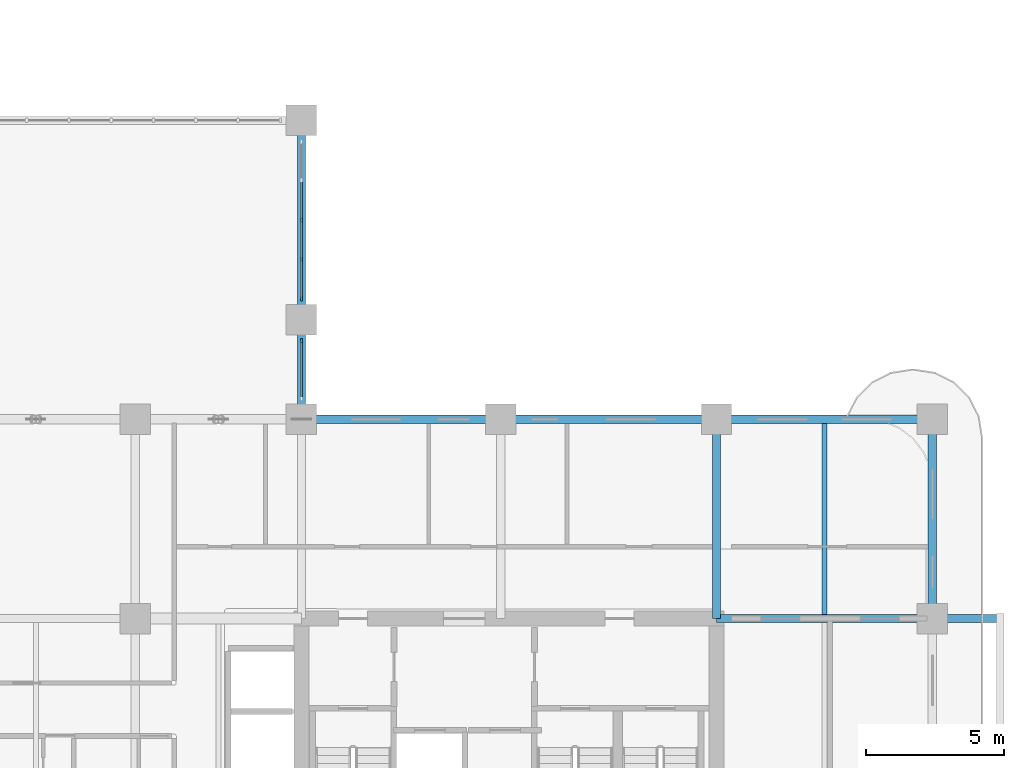
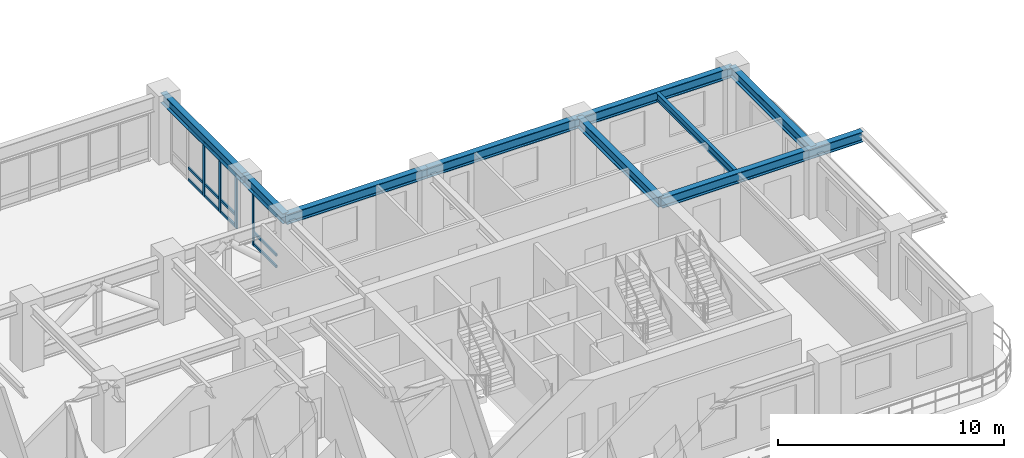
# One storey, part 4 of 21: 16 members, 9 beams, 2 elements without a shape of their own.
"""IFC4 building model written with IfcOpenShell, lengths in metres."""

from ifc_helpers import new_model, si_unit, derived_unit, direction, frame, origin, origin_2d, place, context, subcontext, project, spatial, rectangle, i_section, extrude, source, transform, mapped, material, layer, layer_set, material_profile, profile_set, type_object, type_shapes, element, aggregate, save


model = new_model("IFC4")

# Units and contexts
model_context = context("Model", 3, precision=1e-05, world=origin(), true_north=direction((0.0, 1.0)))
body_context = subcontext(model_context, "Body", "Model", "MODEL_VIEW")
ifc_project = project(units=[si_unit("LENGTHUNIT", "METRE"), si_unit("AREAUNIT", "SQUARE_METRE"), si_unit("VOLUMEUNIT", "CUBIC_METRE"), si_unit("PLANEANGLEUNIT", "RADIAN"), si_unit("MASSUNIT", "GRAM", prefix="KILO"), si_unit("THERMODYNAMICTEMPERATUREUNIT", "KELVIN"), si_unit("POWERUNIT", "WATT"), derived_unit("THERMALTRANSMITTANCEUNIT", [(si_unit("POWERUNIT", "WATT"), 1), (si_unit("AREAUNIT", "SQUARE_METRE"), -1), (si_unit("THERMODYNAMICTEMPERATUREUNIT", "KELVIN"), -1)])], contexts=[model_context])

# Site, building, storey
site_placement = place(None, origin())
site = spatial("IfcSite", under=ifc_project, at=site_placement, CompositionType="ELEMENT")
building_placement = place(site_placement, origin())
building = spatial("IfcBuilding", under=site, at=building_placement, Name="Zahravan Archway Hotel and Residences", CompositionType="ELEMENT")
storey_placement = place(building_placement, frame((0.0, 0.0, 65.699951171875)))
storey = spatial("IfcBuildingStorey", under=building, at=storey_placement, Name="L15", CompositionType="ELEMENT", Elevation=65.699951171875)

# Beams
ifc_material_1 = material(Name="Structural Steel S355JR", Category="steel")
ifc_material_profile_1 = material_profile(ifc_material_1, i_section(OverallWidth=0.300048828125, OverallDepth=0.550048828125, WebThickness=0.014892578125, FlangeThickness=0.029052734375, FilletRadius=0.027099609375, at=origin_2d()), Name="HEB 550", Category="steel")
ifc_profile_set_1 = profile_set([ifc_material_profile_1], Name="Structural Steel S355JR")
beam_type_1 = type_object("IfcBeamType", Name="BM-PRI-HEB550", PredefinedType="BEAM", material=ifc_profile_set_1)
shared_shape_1 = source(origin(), body_context, "Body", "SweptSolid", [
    extrude(i_section(OverallWidth=0.300048828125, OverallDepth=0.550048828125, WebThickness=0.014892578125, FlangeThickness=0.029052734375, FilletRadius=0.027099609375, at=origin_2d()), origin(), (0.0, 0.0, 1.0), 7.2001953125),
])
type_shapes(beam_type_1, [shared_shape_1])
for number, where, z_axis, x_axis, name in (
    (1, (49.800048828125, 14.39990234375, 3.175048828125), (0.0, 1.0, 0.0), (-1.0, 0.0, 0.0), "L15 Primary Girder NS-47"),
    (2, (57.60009765625, 14.39990234375, 3.175048828125), (0.0, 1.0, 0.0), (-1.0, 0.0, 0.0), "L15 Primary Girder NS-50"),
):
    element("IfcBeam", number, at=place(storey_placement, frame(where, z_axis=z_axis, x_axis=x_axis)), inside=storey, type_object=beam_type_1, Name=name, PredefinedType="BEAM", context=body_context, shape_type="MappedRepresentation", body=[
        mapped(shared_shape_1, transform((0.0, 0.0, 0.0), scale=1.0)),
    ])
shared_shape_2 = source(origin(), body_context, "Body", "SweptSolid", [
    extrude(i_section(OverallWidth=0.300048828125, OverallDepth=0.550048828125, WebThickness=0.014892578125, FlangeThickness=0.029052734375, FilletRadius=0.027099609375, at=origin_2d()), origin(), (0.0, 0.0, 1.0), 7.199951171875),
])
for number, where, z_axis, x_axis, name in (
    (3, (34.800048828125, 21.60009765625, 3.175048828125), (1.0, 0.0, 0.0), (0.0, 1.0, 0.0), "L15 Primary Girder EW-15"),
    (4, (34.800048828125, 25.199951171875, 3.175048828125), (0.0, 1.0, 0.0), (-1.0, 0.0, 0.0), "L15 Primary Girder NS-45"),
):
    element("IfcBeam", number, at=place(storey_placement, frame(where, z_axis=z_axis, x_axis=x_axis)), inside=storey, type_object=beam_type_1, Name=name, PredefinedType="BEAM", context=body_context, shape_type="MappedRepresentation", body=[
        mapped(shared_shape_2, transform((0.0, 0.0, 0.0), scale=1.0)),
    ])
shared_shape_3 = source(origin(), body_context, "Body", "SweptSolid", [
    extrude(i_section(OverallWidth=0.300048828125, OverallDepth=0.550048828125, WebThickness=0.014892578125, FlangeThickness=0.029052734375, FilletRadius=0.027099609375, at=origin_2d()), origin(), (0.0, 0.0, 1.0), 7.800048828125),
])
for number, where, z_axis, x_axis, name in (
    (5, (42.0, 21.60009765625, 3.175048828125), (1.0, 0.0, 0.0), (0.0, 1.0, 0.0), "L15 Primary Girder EW-16"),
    (6, (49.800048828125, 21.60009765625, 3.175048828125), (1.0, 0.0, 0.0), (0.0, 1.0, 0.0), "L15 Primary Girder EW-17"),
):
    element("IfcBeam", number, at=place(storey_placement, frame(where, z_axis=z_axis, x_axis=x_axis)), inside=storey, type_object=beam_type_1, Name=name, PredefinedType="BEAM", context=body_context, shape_type="MappedRepresentation", body=[
        mapped(shared_shape_3, transform((0.0, 0.0, 0.0), scale=1.0)),
    ])
shared_shape_4 = source(origin(), body_context, "Body", "SweptSolid", [
    extrude(i_section(OverallWidth=0.300048828125, OverallDepth=0.550048828125, WebThickness=0.014892578125, FlangeThickness=0.029052734375, FilletRadius=0.027099609375, at=origin_2d()), origin(), (0.0, 0.0, 1.0), 3.599853515625),
])
beam_1_placement = place(storey_placement, frame((34.800048828125, 21.60009765625, 3.175048828125), z_axis=(0.0, 1.0, 0.0), x_axis=(-1.0, 0.0, 0.0)))
element("IfcBeam", 7, at=beam_1_placement, inside=storey, type_object=beam_type_1, Name="L15 Primary Girder NS-44", PredefinedType="BEAM", context=body_context, shape_type="MappedRepresentation", body=[
    mapped(shared_shape_4, transform((0.0, 0.0, 0.0), scale=1.0)),
])
ifc_material_profile_2 = material_profile(ifc_material_1, i_section(OverallWidth=0.179931640625, OverallDepth=0.39990234375, WebThickness=0.008544921875, FlangeThickness=0.013427734375, FilletRadius=0.02099609375, at=origin_2d()), Name="IPE 400", Category="steel")
ifc_profile_set_2 = profile_set([ifc_material_profile_2], Name="Structural Steel S355JR")
beam_type_2 = type_object("IfcBeamType", Name="BM-JST-IPE400", PredefinedType="JOIST", material=ifc_profile_set_2)
shared_shape_5 = source(origin(), body_context, "Body", "SweptSolid", [
    extrude(i_section(OverallWidth=0.179931640625, OverallDepth=0.39990234375, WebThickness=0.008544921875, FlangeThickness=0.013427734375, FilletRadius=0.02099609375, at=origin_2d()), origin(), (0.0, 0.0, 1.0), 6.90380859375),
])
beam_2_placement = place(storey_placement, frame((53.699951171875, 14.548095703125, 3.25), z_axis=(0.0, 1.0, 0.0), x_axis=(-1.0, 0.0, 0.0)))
element("IfcBeam", 8, at=beam_2_placement, inside=storey, type_object=beam_type_2, Name="L15 Composite Floor Joist 10", PredefinedType="JOIST", context=body_context, shape_type="MappedRepresentation", body=[
    mapped(shared_shape_5, transform((0.0, 0.0, 0.0), scale=1.0)),
])
shared_shape_6 = source(origin(), body_context, "Body", "SweptSolid", [
    extrude(i_section(OverallWidth=0.300048828125, OverallDepth=0.550048828125, WebThickness=0.014892578125, FlangeThickness=0.029052734375, FilletRadius=0.027099609375, at=origin_2d()), origin(), (0.0, 0.0, 1.0), 10.25),
])
beam_3_placement = place(storey_placement, frame((49.800048828125, 14.39990234375, 3.175048828125), z_axis=(1.0, 0.0, 0.0), x_axis=(0.0, 1.0, 0.0)))
element("IfcBeam", 9, at=beam_3_placement, inside=storey, type_object=beam_type_1, Name="L15 Primary Girder EW-13", PredefinedType="BEAM", context=body_context, shape_type="MappedRepresentation", body=[
    mapped(shared_shape_6, transform((0.0, 0.0, 0.0), scale=1.0)),
])

# Curtain wall, members
ifc_material_2 = material(Name="Bronze-Anodized Unitised Aluminium & Low-E Glass", Category="aluminium")
ifc_layer = layer(ifc_material_2, 0.179931640625, Name="Bronze-Anodized Unitised Aluminium & Low-E Glass", Category="aluminium")
ifc_layer_set = layer_set([ifc_layer], Name="Bronze-Anodized Unitised Aluminium & Low-E Glass")
curtain_wall_type = type_object("IfcCurtainWallType", Name="CW-SBG-1", PredefinedType="NOTDEFINED", material=ifc_layer_set)
curtain_wall_1_placement = place(storey_placement, origin())
curtain_wall_1 = element("IfcCurtainWall", 10, at=curtain_wall_1_placement, inside=storey, type_object=curtain_wall_type, Name="L15 Curtain Wall CW-L15-HNG-E-2", PredefinedType="NOTDEFINED")
ifc_material_3 = material(Name="Bronze-Anodized Extruded Aluminium", Category="aluminium")
ifc_material_profile_3 = material_profile(ifc_material_3, rectangle(XDim=0.080078125, YDim=0.139892578125, at=origin_2d()), Name="TRN 80x140", Category="aluminium")
ifc_profile_set_3 = profile_set([ifc_material_profile_3], Name="Bronze-Anodized Extruded Aluminium")
member_type_1 = type_object("IfcMemberType", Name="CWM-TRN-140", PredefinedType="USERDEFINED", material=ifc_profile_set_3)
shared_shape_7 = source(origin(), body_context, "Body", "SweptSolid", [
    extrude(rectangle(XDim=0.080078125, YDim=0.139892578125, at=origin_2d()), origin(), (0.0, 0.0, 1.0), 1.33984375),
])
member_1_placement = place(storey_placement, frame((34.800048828125, 28.840087890625, 0.070068359375), z_axis=(0.0, 1.0, 0.0), x_axis=(-1.0, 0.0, 0.0)))
member_1 = element("IfcMember", 11, at=member_1_placement, type_object=member_type_1, Name="CW-L15-HNG-E-2 Transom 2-1", ObjectType="TRANSOM", PredefinedType="USERDEFINED", context=body_context, shape_type="MappedRepresentation", body=[
    mapped(shared_shape_7, transform((0.0, 0.0, 0.0), scale=1.0)),
])
member_2_placement = place(storey_placement, frame((34.800048828125, 28.840087890625, 0.6923828125), z_axis=(0.0, 1.0, 0.0), x_axis=(-1.0, 0.0, 0.0)))
member_2 = element("IfcMember", 12, at=member_2_placement, type_object=member_type_1, Name="CW-L15-HNG-E-2 Transom 2-2", ObjectType="TRANSOM", PredefinedType="USERDEFINED", context=body_context, shape_type="MappedRepresentation", body=[
    mapped(shared_shape_7, transform((0.0, 0.0, 0.0), scale=1.0)),
])
member_3_placement = place(storey_placement, frame((34.800048828125, 28.840087890625, 2.81494140625), z_axis=(0.0, 1.0, 0.0), x_axis=(-1.0, 0.0, 0.0)))
member_3 = element("IfcMember", 13, at=member_3_placement, type_object=member_type_1, Name="CW-L15-HNG-E-2 Transom 2-3", ObjectType="TRANSOM", PredefinedType="USERDEFINED", context=body_context, shape_type="MappedRepresentation", body=[
    mapped(shared_shape_7, transform((0.0, 0.0, 0.0), scale=1.0)),
])
shared_shape_8 = source(origin(), body_context, "Body", "SweptSolid", [
    extrude(rectangle(XDim=0.080078125, YDim=0.139892578125, at=origin_2d()), origin(), (0.0, 0.0, 1.0), 1.340087890625),
])
member_4_placement = place(storey_placement, frame((34.800048828125, 26.0, 0.070068359375), z_axis=(0.0, 1.0, 0.0), x_axis=(-1.0, 0.0, 0.0)))
member_4 = element("IfcMember", 14, at=member_4_placement, type_object=member_type_1, Name="CW-L15-HNG-E-2 Transom 0-1", ObjectType="TRANSOM", PredefinedType="USERDEFINED", context=body_context, shape_type="MappedRepresentation", body=[
    mapped(shared_shape_8, transform((0.0, 0.0, 0.0), scale=1.0)),
])
member_5_placement = place(storey_placement, frame((34.800048828125, 26.0, 0.6923828125), z_axis=(0.0, 1.0, 0.0), x_axis=(-1.0, 0.0, 0.0)))
member_5 = element("IfcMember", 15, at=member_5_placement, type_object=member_type_1, Name="CW-L15-HNG-E-2 Transom 0-2", ObjectType="TRANSOM", PredefinedType="USERDEFINED", context=body_context, shape_type="MappedRepresentation", body=[
    mapped(shared_shape_8, transform((0.0, 0.0, 0.0), scale=1.0)),
])
member_6_placement = place(storey_placement, frame((34.800048828125, 26.0, 2.81494140625), z_axis=(0.0, 1.0, 0.0), x_axis=(-1.0, 0.0, 0.0)))
member_6 = element("IfcMember", 16, at=member_6_placement, type_object=member_type_1, Name="CW-L15-HNG-E-2 Transom 0-3", ObjectType="TRANSOM", PredefinedType="USERDEFINED", context=body_context, shape_type="MappedRepresentation", body=[
    mapped(shared_shape_8, transform((0.0, 0.0, 0.0), scale=1.0)),
])
member_7_placement = place(storey_placement, frame((34.800048828125, 27.419921875, 0.070068359375), z_axis=(0.0, 1.0, 0.0), x_axis=(-1.0, 0.0, 0.0)))
member_7 = element("IfcMember", 17, at=member_7_placement, type_object=member_type_1, Name="CW-L15-HNG-E-2 Transom 1-1", ObjectType="TRANSOM", PredefinedType="USERDEFINED", context=body_context, shape_type="MappedRepresentation", body=[
    mapped(shared_shape_8, transform((0.0, 0.0, 0.0), scale=1.0)),
])
member_8_placement = place(storey_placement, frame((34.800048828125, 27.419921875, 0.6923828125), z_axis=(0.0, 1.0, 0.0), x_axis=(-1.0, 0.0, 0.0)))
member_8 = element("IfcMember", 18, at=member_8_placement, type_object=member_type_1, Name="CW-L15-HNG-E-2 Transom 1-2", ObjectType="TRANSOM", PredefinedType="USERDEFINED", context=body_context, shape_type="MappedRepresentation", body=[
    mapped(shared_shape_8, transform((0.0, 0.0, 0.0), scale=1.0)),
])
member_9_placement = place(storey_placement, frame((34.800048828125, 27.419921875, 2.81494140625), z_axis=(0.0, 1.0, 0.0), x_axis=(-1.0, 0.0, 0.0)))
member_9 = element("IfcMember", 19, at=member_9_placement, type_object=member_type_1, Name="CW-L15-HNG-E-2 Transom 1-3", ObjectType="TRANSOM", PredefinedType="USERDEFINED", context=body_context, shape_type="MappedRepresentation", body=[
    mapped(shared_shape_8, transform((0.0, 0.0, 0.0), scale=1.0)),
])

# Curtain wall, member
curtain_wall_2_placement = place(storey_placement, origin())
curtain_wall_2 = element("IfcCurtainWall", 20, at=curtain_wall_2_placement, inside=storey, type_object=curtain_wall_type, Name="L15 Curtain Wall CW-L15-HNG-E-1", PredefinedType="NOTDEFINED")
ifc_material_profile_4 = material_profile(ifc_material_3, rectangle(XDim=0.080078125, YDim=0.159912109375, at=origin_2d()), Name="MUL 80x160", Category="aluminium")
ifc_profile_set_4 = profile_set([ifc_material_profile_4], Name="Bronze-Anodized Extruded Aluminium")
member_type_2 = type_object("IfcMemberType", Name="CWM-MUL-160", PredefinedType="MULLION", material=ifc_profile_set_4)
shared_shape_9 = source(origin(), body_context, "Body", "SweptSolid", [
    extrude(rectangle(XDim=0.080078125, YDim=0.159912109375, at=origin_2d()), origin(), (0.0, 0.0, 1.0), 2.885009765625),
])
member_10_placement = place(storey_placement, frame((34.800048828125, 24.43994140625, 0.0), z_axis=(0.0, 0.0, 1.0), x_axis=(1.0, 0.0, 0.0)))
member_10 = element("IfcMember", 21, at=member_10_placement, type_object=member_type_2, Name="CW-L15-HNG-E-1 Mullion 1", PredefinedType="MULLION", context=body_context, shape_type="MappedRepresentation", body=[
    mapped(shared_shape_9, transform((0.0, 0.0, 0.0), scale=1.0)),
])

# Member
member_11_placement = place(storey_placement, frame((34.800048828125, 25.9599609375, 0.0), z_axis=(0.0, 0.0, 1.0), x_axis=(1.0, 0.0, 0.0)))
member_11 = element("IfcMember", 22, at=member_11_placement, type_object=member_type_2, Name="CW-L15-HNG-E-2 Mullion 0", PredefinedType="MULLION", context=body_context, shape_type="MappedRepresentation", body=[
    mapped(shared_shape_9, transform((0.0, 0.0, 0.0), scale=1.0)),
])

member_12_placement = place(storey_placement, frame((34.800048828125, 27.3798828125, 0.0), z_axis=(0.0, 0.0, 1.0), x_axis=(1.0, 0.0, 0.0)))
member_12 = element("IfcMember", 23, at=member_12_placement, type_object=member_type_2, Name="CW-L15-HNG-E-2 Mullion 1", PredefinedType="MULLION", context=body_context, shape_type="MappedRepresentation", body=[
    mapped(shared_shape_9, transform((0.0, 0.0, 0.0), scale=1.0)),
])

member_13_placement = place(storey_placement, frame((34.800048828125, 28.800048828125, 0.0), z_axis=(0.0, 0.0, 1.0), x_axis=(1.0, 0.0, 0.0)))
member_13 = element("IfcMember", 24, at=member_13_placement, type_object=member_type_2, Name="CW-L15-HNG-E-2 Mullion 2", PredefinedType="MULLION", context=body_context, shape_type="MappedRepresentation", body=[
    mapped(shared_shape_9, transform((0.0, 0.0, 0.0), scale=1.0)),
])

aggregate(curtain_wall_1, [member_11, member_12, member_13, member_4, member_5, member_6, member_7, member_8, member_9, member_1, member_2, member_3])

shared_shape_10 = source(origin(), body_context, "Body", "SweptSolid", [
    extrude(rectangle(XDim=0.080078125, YDim=0.139892578125, at=origin_2d()), origin(), (0.0, 0.0, 1.0), 2.0),
])
member_14_placement = place(storey_placement, frame((34.800048828125, 22.39990234375, 0.070068359375), z_axis=(0.0, 1.0, 0.0), x_axis=(-1.0, 0.0, 0.0)))
member_14 = element("IfcMember", 25, at=member_14_placement, type_object=member_type_1, Name="CW-L15-HNG-E-1 Transom 0-1", ObjectType="TRANSOM", PredefinedType="USERDEFINED", context=body_context, shape_type="MappedRepresentation", body=[
    mapped(shared_shape_10, transform((0.0, 0.0, 0.0), scale=1.0)),
])

member_15_placement = place(storey_placement, frame((34.800048828125, 22.39990234375, 0.6923828125), z_axis=(0.0, 1.0, 0.0), x_axis=(-1.0, 0.0, 0.0)))
member_15 = element("IfcMember", 26, at=member_15_placement, type_object=member_type_1, Name="CW-L15-HNG-E-1 Transom 0-2", ObjectType="TRANSOM", PredefinedType="USERDEFINED", context=body_context, shape_type="MappedRepresentation", body=[
    mapped(shared_shape_10, transform((0.0, 0.0, 0.0), scale=1.0)),
])

member_16_placement = place(storey_placement, frame((34.800048828125, 22.39990234375, 2.81494140625), z_axis=(0.0, 1.0, 0.0), x_axis=(-1.0, 0.0, 0.0)))
member_16 = element("IfcMember", 27, at=member_16_placement, type_object=member_type_1, Name="CW-L15-HNG-E-1 Transom 0-3", ObjectType="TRANSOM", PredefinedType="USERDEFINED", context=body_context, shape_type="MappedRepresentation", body=[
    mapped(shared_shape_10, transform((0.0, 0.0, 0.0), scale=1.0)),
])

aggregate(curtain_wall_2, [member_10, member_14, member_15, member_16])

save(model, "model.ifc")
